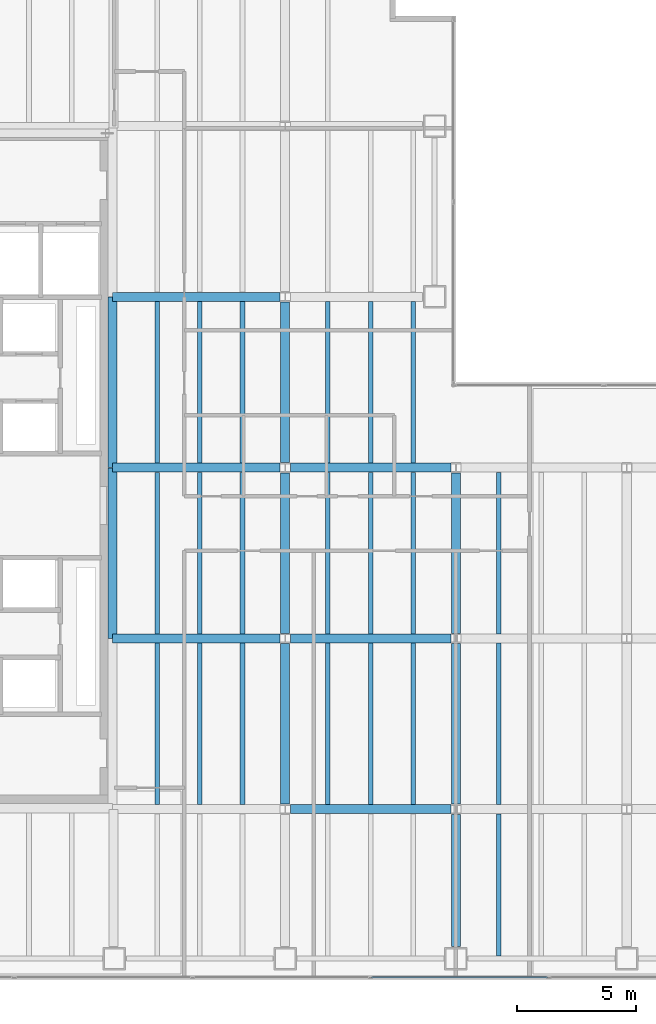
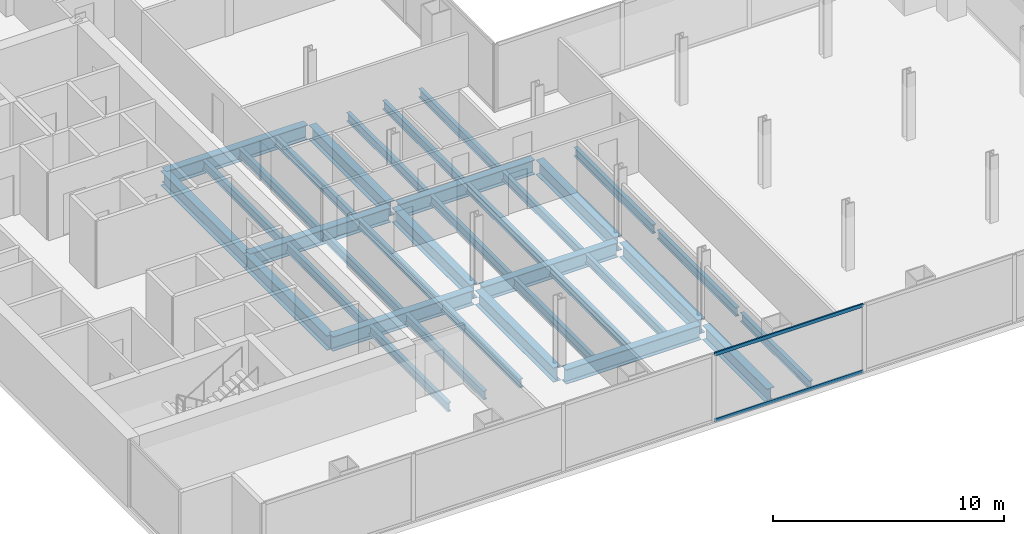
# One storey, part 5 of 24: 35 beams, 2 members, 1 element without a shape of its own.
"""IFC4 building model written with IfcOpenShell, lengths in metres."""

import ifcopenshell
import ifcopenshell.guid

model = None  # the IFC model being written
_history = None  # IfcOwnerHistory: only IFC2X3 demands one
_inside = {}  # id of a spatial element -> (the spatial element, [elements in it])
_under = {}  # id of a project, library or spatial element -> (it, [spatial elements below it])
_declared = {}  # id of a project -> (the project, [libraries it declares])
_typed = {}  # id of a type object -> (the type object, [elements of that type])
_made_of = {}  # id of a material, layer set ... -> (it, [elements and type objects made of it])


def new_model(schema):
    """Start an empty IFC model of exactly this schema.

    Asked for "IFC4X3", IfcOpenShell would pick the latest addendum, in which some entities
    have other attributes; the version numbers below select the first issue.
    IFC2X3 requires an IfcOwnerHistory on every rooted entity: one is made here for all.
    """
    global model, _history
    if schema == "IFC4X3":
        model = ifcopenshell.file(schema_version=(4, 3, 0, 0))
    else:
        model = ifcopenshell.file(schema=schema)
    _inside.clear()
    _under.clear()
    _declared.clear()
    _typed.clear()
    _made_of.clear()
    _history = None
    if model.schema == "IFC2X3":
        org = make("IfcOrganization", Name="unknown")
        user = make(
            "IfcPersonAndOrganization",
            ThePerson=make("IfcPerson", FamilyName="unknown"),
            TheOrganization=org,
        )
        app = make(
            "IfcApplication",
            ApplicationDeveloper=org,
            Version="unknown",
            ApplicationFullName="unknown",
            ApplicationIdentifier="unknown",
        )
        _history = make(
            "IfcOwnerHistory",
            OwningUser=user,
            OwningApplication=app,
            ChangeAction="ADDED",
            CreationDate=0,
        )
    return model


def make(cls, **values):
    """One entity of the class cls with the attributes given. An attribute that is None is left unset."""
    return model.create_entity(
        cls, **{name: value for name, value in values.items() if value is not None}
    )


def rooted(cls, **values):
    """An entity with a GlobalId (a new one), such as an element, a storey or a relation."""
    return make(cls, GlobalId=ifcopenshell.guid.new(), OwnerHistory=_history, **values)


def si_unit(unit_type, name, prefix=None):
    """IfcSIUnit, for example si_unit("LENGTHUNIT", "METRE", prefix="MILLI")."""
    return make("IfcSIUnit", UnitType=unit_type, Prefix=prefix, Name=name)


def assignment(units):
    """IfcUnitAssignment: the units of a project."""
    return None if units is None else make("IfcUnitAssignment", Units=units)


def point(xyz):
    """IfcCartesianPoint."""
    return None if xyz is None else make("IfcCartesianPoint", Coordinates=xyz)


def direction(xyz):
    """IfcDirection."""
    return None if xyz is None else make("IfcDirection", DirectionRatios=xyz)


def frame(location, z_axis=None, x_axis=None):
    """IfcAxis2Placement3D, a coordinate frame: its origin and axes. An axis left out is left unset."""
    return make(
        "IfcAxis2Placement3D",
        Location=point(location),
        Axis=direction(z_axis),
        RefDirection=direction(x_axis),
    )


def frame_2d(location, x_axis=None):
    """IfcAxis2Placement2D, a coordinate frame in the plane: its origin and x axis."""
    return make(
        "IfcAxis2Placement2D", Location=point(location), RefDirection=direction(x_axis)
    )


def origin():
    """The frame at (0, 0, 0) with its axes left unset."""
    return frame((0.0, 0.0, 0.0))


def origin_2d():
    """The frame at (0, 0) in the plane with its x axis left unset."""
    return frame_2d((0.0, 0.0))


def place(relative_to, where):
    """IfcLocalPlacement: puts the frame where relative to a parent placement (None: the world)."""
    return make(
        "IfcLocalPlacement", PlacementRelTo=relative_to, RelativePlacement=where
    )


def context(
    kind, dimensions, precision=None, world=None, true_north=None, identifier=None
):
    """IfcGeometricRepresentationContext, for example the 3D "Model" context."""
    return make(
        "IfcGeometricRepresentationContext",
        ContextIdentifier=identifier,
        ContextType=kind,
        CoordinateSpaceDimension=dimensions,
        Precision=precision,
        WorldCoordinateSystem=world,
        TrueNorth=true_north,
    )


def subcontext(parent, identifier, kind, view, scale=None):
    """IfcGeometricRepresentationSubContext, for example "Body" below "Model"."""
    return make(
        "IfcGeometricRepresentationSubContext",
        ContextIdentifier=identifier,
        ContextType=kind,
        ParentContext=parent,
        TargetScale=scale,
        TargetView=view,
    )


def project(units=None, contexts=None):
    """IfcProject with its units and contexts."""
    return rooted(
        "IfcProject",
        Name="project",
        RepresentationContexts=contexts,
        UnitsInContext=assignment(units),
    )


def spatial(cls, under=None, at=None, **own):
    """A site, building, storey or space (cls), placed at a placement, below another one or the project."""
    s = rooted(cls, ObjectPlacement=at, **own)
    if under is not None:
        _under.setdefault(under.id(), (under, []))[1].append(s)
    return s


def profile(cls, at=None, kind="AREA", **sizes):
    """A parametric profile (cls). Its sizes go by their IFC names, for example OverallWidth=200.0."""
    return make(cls, ProfileType=kind, Position=at, **sizes)


def hollow_rectangle(**sizes):
    """IfcRectangleHollowProfileDef."""
    return profile("IfcRectangleHollowProfileDef", **sizes)


def i_section(**sizes):
    """IfcIShapeProfileDef."""
    return profile("IfcIShapeProfileDef", **sizes)


def extrude(swept, where, along, depth):
    """IfcExtrudedAreaSolid: the profile swept, set in the frame where, extruded along a direction by depth."""
    return make(
        "IfcExtrudedAreaSolid",
        SweptArea=swept,
        Position=where,
        ExtrudedDirection=direction(along),
        Depth=depth,
    )


def shape(context_of_items, identifier, shape_type, items):
    """IfcShapeRepresentation: the items that make up one representation, for example the "Body"."""
    return make(
        "IfcShapeRepresentation",
        ContextOfItems=context_of_items,
        RepresentationIdentifier=identifier,
        RepresentationType=shape_type,
        Items=items,
    )


def material(Name=None, Category=None):
    """IfcMaterial."""
    return make("IfcMaterial", Name=Name, Category=Category)


def material_profile(
    of_material, cross_section, Name=None, Category=None, Priority=None
):
    """IfcMaterialProfile: a cross section and its material."""
    return make(
        "IfcMaterialProfile",
        Name=Name,
        Material=of_material,
        Profile=cross_section,
        Priority=Priority,
        Category=Category,
    )


def profile_set(profiles, Name=None, composite=None):
    """IfcMaterialProfileSet."""
    return make(
        "IfcMaterialProfileSet",
        Name=Name,
        MaterialProfiles=profiles,
        CompositeProfile=composite,
    )


def made_of(thing, what):
    """Note that an element or type object is made of a material, layer set ...; save() writes the relation."""
    if what is not None:
        _made_of.setdefault(what.id(), (what, []))[1].append(thing)
    return thing


def type_object(cls, material=None, **own):
    """A type object (cls), such as IfcWallType, which elements share."""
    return made_of(rooted(cls, **own), material)


def element(
    cls,
    number,
    at=None,
    inside=None,
    cuts=None,
    type_object=None,
    material=None,
    context=None,
    identifier="Body",
    shape_type=None,
    held_by="IfcProductDefinitionShape",
    body=None,
    shapes=None,
    **own,
):
    """One element of the class cls, such as IfcWall. Its Tag is "e" and its number.

    at: its placement. inside: the storey or other place that contains it. cuts: it is an
    opening in that element (IfcRelVoidsElement). A single representation is given by context,
    identifier, shape_type and body (its items); several are given by shapes. held_by: the class
    of the entity that holds the representations. save() writes the other relations.
    """
    e = rooted(cls, Tag="e%d" % number, ObjectPlacement=at, **own)
    if body is not None:
        shapes = [shape(context, identifier, shape_type, body)]
    if shapes is not None:
        e.Representation = make(held_by, Representations=shapes)
    if inside is not None:
        _inside.setdefault(inside.id(), (inside, []))[1].append(e)
    if cuts is not None:
        rooted(
            "IfcRelVoidsElement", RelatingBuildingElement=cuts, RelatedOpeningElement=e
        )
    if type_object is not None:
        _typed.setdefault(type_object.id(), (type_object, []))[1].append(e)
    return made_of(e, material)


def aggregate(whole, parts):
    """IfcRelAggregates: a whole, such as a stair, and the parts it consists of."""
    return rooted("IfcRelAggregates", RelatingObject=whole, RelatedObjects=parts)


def save(model, path):
    """Write the relations noted so far, then the file.

    IfcRelAggregates (storeys below a building ...), IfcRelContainedInSpatialStructure (elements
    in a storey), IfcRelDefinesByType, IfcRelAssociatesMaterial and IfcRelDeclares: one each for
    every whole, place, type object, material and project.
    """
    for whole, parts in _under.values():
        aggregate(whole, parts)
    for where, things in _inside.values():
        rooted(
            "IfcRelContainedInSpatialStructure",
            RelatedElements=things,
            RelatingStructure=where,
        )
    for kind, things in _typed.values():
        rooted("IfcRelDefinesByType", RelatedObjects=things, RelatingType=kind)
    for what, things in _made_of.values():
        rooted("IfcRelAssociatesMaterial", RelatedObjects=things, RelatingMaterial=what)
    for by, libraries in _declared.values():
        rooted("IfcRelDeclares", RelatingContext=by, RelatedDefinitions=libraries)
    model.write(path)


model = new_model("IFC4")

# Units and contexts
model_context = context("Model", 3, precision=1e-05, world=origin(), true_north=direction((0.0, 1.0)))
body_context = subcontext(model_context, "Body", "Model", "MODEL_VIEW")
ifc_project = project(units=[si_unit("LENGTHUNIT", "METRE"), si_unit("AREAUNIT", "SQUARE_METRE"), si_unit("VOLUMEUNIT", "CUBIC_METRE"), si_unit("PLANEANGLEUNIT", "RADIAN"), si_unit("MASSUNIT", "GRAM", prefix="KILO")], contexts=[model_context])

# Site, building, storey
site_placement = place(None, origin())
site = spatial("IfcSite", under=ifc_project, at=site_placement, CompositionType="ELEMENT")
building_placement = place(site_placement, origin())
building = spatial("IfcBuilding", under=site, at=building_placement, Name="Cobrela Telecom Tower", CompositionType="ELEMENT")
storey_placement = place(building_placement, frame((0.0, 0.0, 77.35009765625)))
storey = spatial("IfcBuildingStorey", under=building, at=storey_placement, Name="L19", CompositionType="ELEMENT", Elevation=77.35009765625)

# Beams
ifc_material_1 = material(Name="Steel ASTM A992 Grade 50", Category="steel")
ifc_material_profile_1 = material_profile(ifc_material_1, i_section(OverallWidth=0.381103515625, OverallDepth=0.77197265625, WebThickness=0.0166015625, FlangeThickness=0.027099609375, FilletRadius=0.01904296875, at=origin_2d()), Name="W30X173")
ifc_profile_set_1 = profile_set([ifc_material_profile_1], Name="Steel ASTM A992 Grade 50")
beam_type_1 = type_object("IfcBeamType", Name="BM-GIRD-04", PredefinedType="USERDEFINED", material=ifc_profile_set_1)
beam_1_placement = place(storey_placement, frame((21.81591796875, 7.199951171875, -0.666015625), z_axis=(1.0, 0.0, 0.0), x_axis=(0.0, 1.0, 0.0)))
element("IfcBeam", 1, at=beam_1_placement, inside=storey, type_object=beam_type_1, Name="L19 Primary Girder X09", ObjectType="GIRDER", PredefinedType="USERDEFINED", context=body_context, shape_type="SweptSolid", body=[
    extrude(i_section(OverallWidth=0.381103515625, OverallDepth=0.77197265625, WebThickness=0.0166015625, FlangeThickness=0.027099609375, FilletRadius=0.01904296875, at=origin_2d()), origin(), (0.0, 0.0, 1.0), 6.76806640625),
])
beam_2_placement = place(storey_placement, frame((14.324951171875, 14.39990234375, -0.666015625), z_axis=(1.0, 0.0, 0.0), x_axis=(0.0, 1.0, 0.0)))
element("IfcBeam", 2, at=beam_2_placement, inside=storey, type_object=beam_type_1, Name="L19 Primary Girder X13", ObjectType="GIRDER", PredefinedType="USERDEFINED", context=body_context, shape_type="SweptSolid", body=[
    extrude(i_section(OverallWidth=0.381103515625, OverallDepth=0.77197265625, WebThickness=0.0166015625, FlangeThickness=0.027099609375, FilletRadius=0.01904296875, at=origin_2d()), origin(), (0.0, 0.0, 1.0), 7.05908203125),
])
beam_3_placement = place(storey_placement, frame((21.81591796875, 14.39990234375, -0.666015625), z_axis=(1.0, 0.0, 0.0), x_axis=(0.0, 1.0, 0.0)))
element("IfcBeam", 3, at=beam_3_placement, inside=storey, type_object=beam_type_1, Name="L19 Primary Girder X14", ObjectType="GIRDER", PredefinedType="USERDEFINED", context=body_context, shape_type="SweptSolid", body=[
    extrude(i_section(OverallWidth=0.381103515625, OverallDepth=0.77197265625, WebThickness=0.0166015625, FlangeThickness=0.027099609375, FilletRadius=0.01904296875, at=origin_2d()), origin(), (0.0, 0.0, 1.0), 6.76806640625),
])
beam_4_placement = place(storey_placement, frame((14.324951171875, 21.60009765625, -0.666015625), z_axis=(1.0, 0.0, 0.0), x_axis=(0.0, 1.0, 0.0)))
element("IfcBeam", 4, at=beam_4_placement, inside=storey, type_object=beam_type_1, Name="L19 Primary Girder X18", ObjectType="GIRDER", PredefinedType="USERDEFINED", context=body_context, shape_type="SweptSolid", body=[
    extrude(i_section(OverallWidth=0.381103515625, OverallDepth=0.77197265625, WebThickness=0.0166015625, FlangeThickness=0.027099609375, FilletRadius=0.01904296875, at=origin_2d()), origin(), (0.0, 0.0, 1.0), 7.05908203125),
])
beam_5_placement = place(storey_placement, frame((21.81591796875, 21.60009765625, -0.666015625), z_axis=(1.0, 0.0, 0.0), x_axis=(0.0, 1.0, 0.0)))
element("IfcBeam", 5, at=beam_5_placement, inside=storey, type_object=beam_type_1, Name="L19 Primary Girder X19", ObjectType="GIRDER", PredefinedType="USERDEFINED", context=body_context, shape_type="SweptSolid", body=[
    extrude(i_section(OverallWidth=0.381103515625, OverallDepth=0.77197265625, WebThickness=0.0166015625, FlangeThickness=0.027099609375, FilletRadius=0.01904296875, at=origin_2d()), origin(), (0.0, 0.0, 1.0), 6.76806640625),
])
beam_6_placement = place(storey_placement, frame((14.324951171875, 28.800048828125, -0.666015625), z_axis=(1.0, 0.0, 0.0), x_axis=(0.0, 1.0, 0.0)))
element("IfcBeam", 6, at=beam_6_placement, inside=storey, type_object=beam_type_1, Name="L19 Primary Girder X23", ObjectType="GIRDER", PredefinedType="USERDEFINED", context=body_context, shape_type="SweptSolid", body=[
    extrude(i_section(OverallWidth=0.381103515625, OverallDepth=0.77197265625, WebThickness=0.0166015625, FlangeThickness=0.027099609375, FilletRadius=0.01904296875, at=origin_2d()), origin(), (0.0, 0.0, 1.0), 7.05908203125),
])
for number, where, z_axis, x_axis, name in (
    (7, (14.320068359375, 14.405029296875, -0.666015625), (0.0, 1.0, 0.0), (-1.0, 0.0, 0.0), "L19 Primary Girder Y36"),
    (8, (14.320068359375, 21.60498046875, -0.666015625), (0.0, 1.0, 0.0), (-1.0, 0.0, 0.0), "L19 Primary Girder Y37"),
):
    element("IfcBeam", number, at=place(storey_placement, frame(where, z_axis=z_axis, x_axis=x_axis)), inside=storey, type_object=beam_type_1, Name=name, ObjectType="GIRDER", PredefinedType="USERDEFINED", context=body_context, shape_type="SweptSolid", body=[
        extrude(i_section(OverallWidth=0.381103515625, OverallDepth=0.77197265625, WebThickness=0.0166015625, FlangeThickness=0.027099609375, FilletRadius=0.01904296875, at=origin_2d()), origin(), (0.0, 0.0, 1.0), 7.18994140625),
    ])
for number, where, z_axis, x_axis, name in (
    (9, (21.60009765625, 7.416015625, -0.666015625), (0.0, 1.0, 0.0), (-1.0, 0.0, 0.0), "L19 Primary Girder Y41"),
    (10, (21.60009765625, 14.615966796875, -0.666015625), (0.0, 1.0, 0.0), (-1.0, 0.0, 0.0), "L19 Primary Girder Y42"),
    (11, (21.60009765625, 21.81591796875, -0.666015625), (0.0, 1.0, 0.0), (-1.0, 0.0, 0.0), "L19 Primary Girder Y43"),
):
    element("IfcBeam", number, at=place(storey_placement, frame(where, z_axis=z_axis, x_axis=x_axis)), inside=storey, type_object=beam_type_1, Name=name, ObjectType="GIRDER", PredefinedType="USERDEFINED", context=body_context, shape_type="SweptSolid", body=[
        extrude(i_section(OverallWidth=0.381103515625, OverallDepth=0.77197265625, WebThickness=0.0166015625, FlangeThickness=0.027099609375, FilletRadius=0.01904296875, at=origin_2d()), origin(), (0.0, 0.0, 1.0), 6.76806640625),
    ])
beam_7_placement = place(storey_placement, frame((28.800048828125, 1.405029296875, -0.666015625), z_axis=(0.0, 1.0, 0.0), x_axis=(-1.0, 0.0, 0.0)))
element("IfcBeam", 12, at=beam_7_placement, inside=storey, type_object=beam_type_1, Name="L19 Primary Girder Y47", ObjectType="GIRDER", PredefinedType="USERDEFINED", context=body_context, shape_type="SweptSolid", body=[
    extrude(i_section(OverallWidth=0.381103515625, OverallDepth=0.77197265625, WebThickness=0.0166015625, FlangeThickness=0.027099609375, FilletRadius=0.01904296875, at=origin_2d()), origin(), (0.0, 0.0, 1.0), 5.578857421875),
])
for number, where, z_axis, x_axis, name in (
    (13, (28.800048828125, 7.416015625, -0.666015625), (0.0, 1.0, 0.0), (-1.0, 0.0, 0.0), "L19 Primary Girder Y48"),
    (14, (28.800048828125, 14.615966796875, -0.666015625), (0.0, 1.0, 0.0), (-1.0, 0.0, 0.0), "L19 Primary Girder Y49"),
):
    element("IfcBeam", number, at=place(storey_placement, frame(where, z_axis=z_axis, x_axis=x_axis)), inside=storey, type_object=beam_type_1, Name=name, ObjectType="GIRDER", PredefinedType="USERDEFINED", context=body_context, shape_type="SweptSolid", body=[
        extrude(i_section(OverallWidth=0.381103515625, OverallDepth=0.77197265625, WebThickness=0.0166015625, FlangeThickness=0.027099609375, FilletRadius=0.01904296875, at=origin_2d()), origin(), (0.0, 0.0, 1.0), 6.76806640625),
    ])
ifc_material_profile_2 = material_profile(ifc_material_1, i_section(OverallWidth=0.193115234375, OverallDepth=0.467041015625, WebThickness=0.011474609375, FlangeThickness=0.01904296875, FilletRadius=0.012939453125, at=origin_2d()), Name="W18X65")
ifc_profile_set_2 = profile_set([ifc_material_profile_2], Name="Steel ASTM A992 Grade 50")
beam_type_2 = type_object("IfcBeamType", Name="BM-JOIST-03", PredefinedType="JOIST", material=ifc_profile_set_2)
for number, where, z_axis, x_axis, name in (
    (15, (16.199951171875, 7.3955078125, -0.513671875), (0.0, 1.0, 0.0), (-1.0, 0.0, 0.0), "L19 Secondary Composite Floor Beam J08"),
    (16, (16.199951171875, 14.595458984375, -0.513671875), (0.0, 1.0, 0.0), (-1.0, 0.0, 0.0), "L19 Secondary Composite Floor Beam J09"),
    (17, (16.199951171875, 21.79541015625, -0.513671875), (0.0, 1.0, 0.0), (-1.0, 0.0, 0.0), "L19 Secondary Composite Floor Beam J10"),
    (18, (18.0, 7.3955078125, -0.513671875), (0.0, 1.0, 0.0), (-1.0, 0.0, 0.0), "L19 Secondary Composite Floor Beam J14"),
    (19, (18.0, 14.595458984375, -0.513671875), (0.0, 1.0, 0.0), (-1.0, 0.0, 0.0), "L19 Secondary Composite Floor Beam J15"),
    (20, (18.0, 21.79541015625, -0.513671875), (0.0, 1.0, 0.0), (-1.0, 0.0, 0.0), "L19 Secondary Composite Floor Beam J16"),
    (21, (19.800048828125, 7.3955078125, -0.513671875), (0.0, 1.0, 0.0), (-1.0, 0.0, 0.0), "L19 Secondary Composite Floor Beam J20"),
    (22, (19.800048828125, 14.595458984375, -0.513671875), (0.0, 1.0, 0.0), (-1.0, 0.0, 0.0), "L19 Secondary Composite Floor Beam J21"),
    (23, (19.800048828125, 21.79541015625, -0.513671875), (0.0, 1.0, 0.0), (-1.0, 0.0, 0.0), "L19 Secondary Composite Floor Beam J22"),
    (24, (23.39990234375, 7.3955078125, -0.513671875), (0.0, 1.0, 0.0), (-1.0, 0.0, 0.0), "L19 Secondary Composite Floor Beam J26"),
    (25, (23.39990234375, 14.595458984375, -0.513671875), (0.0, 1.0, 0.0), (-1.0, 0.0, 0.0), "L19 Secondary Composite Floor Beam J27"),
    (26, (23.39990234375, 21.79541015625, -0.513671875), (0.0, 1.0, 0.0), (-1.0, 0.0, 0.0), "L19 Secondary Composite Floor Beam J28"),
    (27, (25.199951171875, 7.3955078125, -0.513671875), (0.0, 1.0, 0.0), (-1.0, 0.0, 0.0), "L19 Secondary Composite Floor Beam J32"),
    (28, (25.199951171875, 14.595458984375, -0.513671875), (0.0, 1.0, 0.0), (-1.0, 0.0, 0.0), "L19 Secondary Composite Floor Beam J33"),
    (29, (25.199951171875, 21.79541015625, -0.513671875), (0.0, 1.0, 0.0), (-1.0, 0.0, 0.0), "L19 Secondary Composite Floor Beam J34"),
    (30, (27.0, 7.3955078125, -0.513671875), (0.0, 1.0, 0.0), (-1.0, 0.0, 0.0), "L19 Secondary Composite Floor Beam J37"),
    (31, (27.0, 14.595458984375, -0.513671875), (0.0, 1.0, 0.0), (-1.0, 0.0, 0.0), "L19 Secondary Composite Floor Beam J38"),
    (32, (27.0, 21.79541015625, -0.513671875), (0.0, 1.0, 0.0), (-1.0, 0.0, 0.0), "L19 Secondary Composite Floor Beam J39"),
):
    element("IfcBeam", number, at=place(storey_placement, frame(where, z_axis=z_axis, x_axis=x_axis)), inside=storey, type_object=beam_type_2, Name=name, PredefinedType="JOIST", context=body_context, shape_type="SweptSolid", body=[
        extrude(i_section(OverallWidth=0.193115234375, OverallDepth=0.467041015625, WebThickness=0.011474609375, FlangeThickness=0.01904296875, FilletRadius=0.012939453125, at=origin_2d()), origin(), (0.0, 0.0, 1.0), 6.80908203125),
    ])
beam_8_placement = place(storey_placement, frame((30.60009765625, 1.011474609375, -0.513671875), z_axis=(0.0, 1.0, 0.0), x_axis=(-1.0, 0.0, 0.0)))
element("IfcBeam", 33, at=beam_8_placement, inside=storey, type_object=beam_type_2, Name="L19 Secondary Composite Floor Beam J41", PredefinedType="JOIST", context=body_context, shape_type="SweptSolid", body=[
    extrude(i_section(OverallWidth=0.193115234375, OverallDepth=0.467041015625, WebThickness=0.011474609375, FlangeThickness=0.01904296875, FilletRadius=0.012939453125, at=origin_2d()), origin(), (0.0, 0.0, 1.0), 5.992919921875),
])
for number, where, z_axis, x_axis, name in (
    (34, (30.60009765625, 7.3955078125, -0.513671875), (0.0, 1.0, 0.0), (-1.0, 0.0, 0.0), "L19 Secondary Composite Floor Beam J42"),
    (35, (30.60009765625, 14.595458984375, -0.513671875), (0.0, 1.0, 0.0), (-1.0, 0.0, 0.0), "L19 Secondary Composite Floor Beam J43"),
):
    element("IfcBeam", number, at=place(storey_placement, frame(where, z_axis=z_axis, x_axis=x_axis)), inside=storey, type_object=beam_type_2, Name=name, PredefinedType="JOIST", context=body_context, shape_type="SweptSolid", body=[
        extrude(i_section(OverallWidth=0.193115234375, OverallDepth=0.467041015625, WebThickness=0.011474609375, FlangeThickness=0.01904296875, FilletRadius=0.012939453125, at=origin_2d()), origin(), (0.0, 0.0, 1.0), 6.80908203125),
    ])

# Curtain wall, members
ifc_material_2 = material(Name="Anodized Bronze Aluminium 6063-T6", Category="aluminium")
curtain_wall_type = type_object("IfcCurtainWallType", Name="CW-SYS-DATA", PredefinedType="USERDEFINED", material=ifc_material_2)
curtain_wall_placement = place(storey_placement, origin())
curtain_wall = element("IfcCurtainWall", 36, at=curtain_wall_placement, inside=storey, type_object=curtain_wall_type, Name="L19 Unitised Bronze Curtain Wall 17", ObjectType="UNITISED CURTAIN WALL", PredefinedType="USERDEFINED")
ifc_material_profile_3 = material_profile(ifc_material_2, hollow_rectangle(XDim=0.074951171875, YDim=0.179931640625, WallThickness=0.00390625, at=origin_2d()), Name="ALU 75x180x4")
ifc_profile_set_3 = profile_set([ifc_material_profile_3], Name="Anodized Bronze Aluminium 6063-T6")
member_type = type_object("IfcMemberType", Name="CW-SYS-DATA-TRN", PredefinedType="USERDEFINED", material=ifc_profile_set_3)
member_1_placement = place(storey_placement, frame((32.669921875, 0.1201171875, 0.037353515625), z_axis=(-1.0, 0.0, 0.0), x_axis=(0.0, -1.0, 0.0)))
member_1 = element("IfcMember", 37, at=member_1_placement, type_object=member_type, Name="CW-DATA transom 3.1", ObjectType="TRANSOM", PredefinedType="USERDEFINED", context=body_context, shape_type="SweptSolid", body=[
    extrude(hollow_rectangle(XDim=0.074951171875, YDim=0.179931640625, WallThickness=0.00390625, at=origin_2d()), origin(), (0.0, 0.0, 1.0), 7.429931640625),
])
member_2_placement = place(storey_placement, frame((32.669921875, 0.1201171875, 3.532470703125), z_axis=(-1.0, 0.0, 0.0), x_axis=(0.0, -1.0, 0.0)))
member_2 = element("IfcMember", 38, at=member_2_placement, type_object=member_type, Name="CW-DATA transom 3.2", ObjectType="TRANSOM", PredefinedType="USERDEFINED", context=body_context, shape_type="SweptSolid", body=[
    extrude(hollow_rectangle(XDim=0.074951171875, YDim=0.179931640625, WallThickness=0.00390625, at=origin_2d()), origin(), (0.0, 0.0, 1.0), 7.429931640625),
])
aggregate(curtain_wall, [member_1, member_2])

save(model, "model.ifc")
